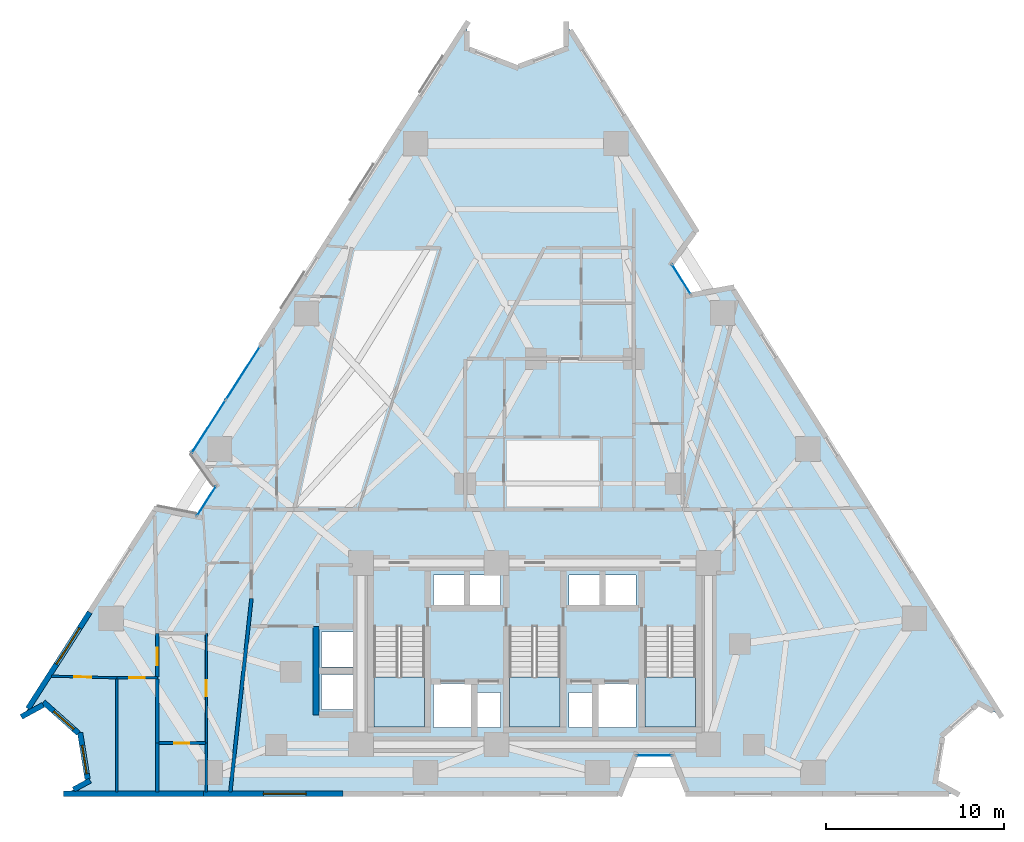
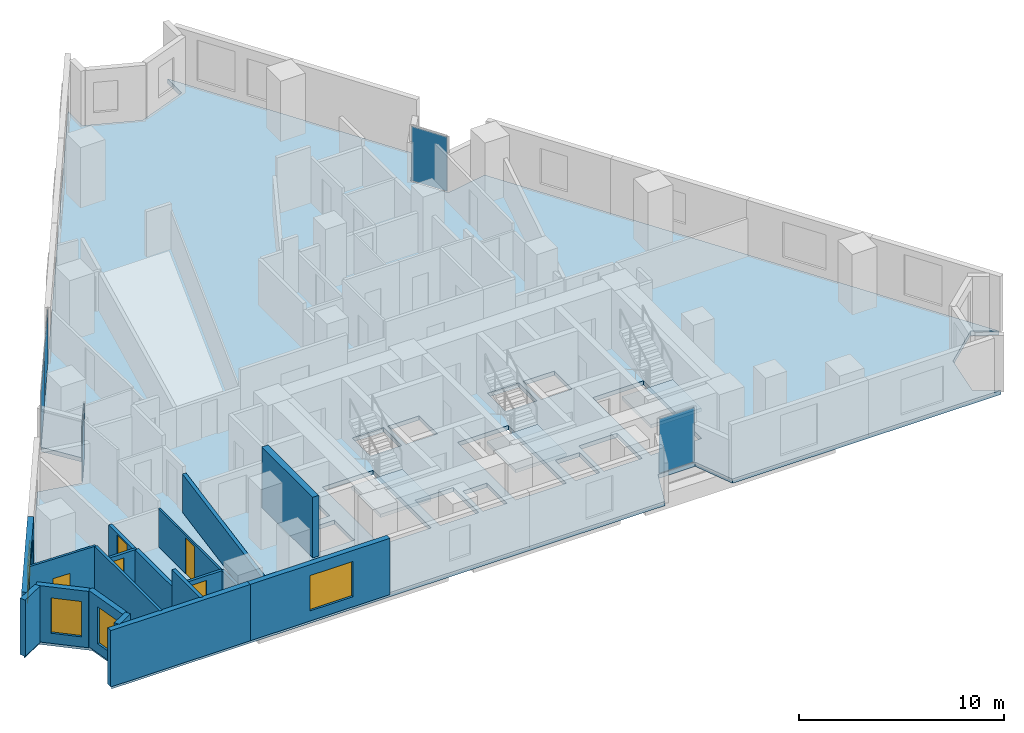
# One storey, part 6 of 14: 18 walls, 5 doors, 5 plates, 4 slabs, 4 windows, 9 openings, 7 elements without a shape of their own.
"""IFC4 building model written with IfcOpenShell, lengths in metres."""

from ifc_helpers import new_model, si_unit, direction, frame, frame_2d, origin, origin_2d, place, context, subcontext, project, spatial, polyline, rectangle, outline, extrude, material, layer, layer_set, type_object, element, fill, aggregate, save


model = new_model("IFC4")

# Units and contexts
model_context = context("Model", 3, precision=1e-05, world=origin(), true_north=direction((0.0, 1.0)))
body_context = subcontext(model_context, "Body", "Model", "MODEL_VIEW")
ifc_project = project(units=[si_unit("LENGTHUNIT", "METRE"), si_unit("AREAUNIT", "SQUARE_METRE"), si_unit("VOLUMEUNIT", "CUBIC_METRE"), si_unit("PLANEANGLEUNIT", "RADIAN"), si_unit("MASSUNIT", "GRAM", prefix="KILO")], contexts=[model_context])

# Site, building, storey
site_placement = place(None, origin())
site = spatial("IfcSite", under=ifc_project, at=site_placement, CompositionType="ELEMENT")
building_placement = place(site_placement, origin())
building = spatial("IfcBuilding", under=site, at=building_placement, Name="Almagre Mirador Tower", CompositionType="ELEMENT")
storey_placement = place(building_placement, frame((0.0, 0.0, 60.60009765625)))
storey = spatial("IfcBuildingStorey", under=building, at=storey_placement, Name="L14", CompositionType="ELEMENT", Elevation=60.60009765625)

# Curtain wall, plate
ifc_material_1 = material(Name="Black anodized aluminium", Category="aluminium")
ifc_layer_1 = layer(ifc_material_1, 0.169921875)
ifc_layer_set_1 = layer_set([ifc_layer_1], Name="Black anodized aluminium")
curtain_wall_type_1 = type_object("IfcCurtainWallType", Name="CW-CRS-SYS", PredefinedType="NOTDEFINED", material=ifc_layer_set_1)
curtain_wall_1_placement = place(storey_placement, origin())
curtain_wall_1 = element("IfcCurtainWall", 1, at=curtain_wall_1_placement, inside=storey, type_object=curtain_wall_type_1, Name="L14 vertical crease curtain wall 01", PredefinedType="NOTDEFINED")
ifc_material_2 = material(Name="Dark solar-control laminated hurricane glass", Category="glass")
ifc_layer_2 = layer(ifc_material_2, 0.028076171875)
ifc_layer_set_2 = layer_set([ifc_layer_2], Name="Dark solar-control laminated hurricane glass")
plate_type_1 = type_object("IfcPlateType", Name="PLT-GLZ-28", PredefinedType="CURTAIN_PANEL", material=ifc_layer_set_2)
plate_1_placement = place(storey_placement, frame((18.8779296875, 18.22509765625, 0.059814453125), z_axis=(0.0, 0.0, 1.0), x_axis=(0.539596564827, 0.841923718176, 0.0)))
plate_1 = element("IfcPlate", 2, at=plate_1_placement, type_object=plate_type_1, Name="CW-4 panel 1.1", PredefinedType="CURTAIN_PANEL", context=body_context, shape_type="SweptSolid", body=[
    extrude(rectangle(XDim=1.970458984375, YDim=0.028076171875, at=origin_2d()), origin(), (0.0, 0.0, 1.0), 3.22998046875),
])
aggregate(curtain_wall_1, [plate_1])

curtain_wall_2_placement = place(storey_placement, origin())
curtain_wall_2 = element("IfcCurtainWall", 3, at=curtain_wall_2_placement, inside=storey, type_object=curtain_wall_type_1, Name="L14 vertical crease curtain wall 03", PredefinedType="NOTDEFINED")
plate_2_placement = place(storey_placement, frame((45.530517578125, 30.6630859375, 0.059814453125), z_axis=(0.0, 0.0, 1.0), x_axis=(0.531632440698, -0.846975175549, 0.0)))
plate_2 = element("IfcPlate", 4, at=plate_2_placement, type_object=plate_type_1, Name="CW-4 panel 1.1", PredefinedType="CURTAIN_PANEL", context=body_context, shape_type="SweptSolid", body=[
    extrude(rectangle(XDim=1.9697265625, YDim=0.028076171875, at=origin_2d()), origin(), (0.0, 0.0, 1.0), 3.22998046875),
])
aggregate(curtain_wall_2, [plate_2])

curtain_wall_3_placement = place(storey_placement, origin())
curtain_wall_3 = element("IfcCurtainWall", 5, at=curtain_wall_3_placement, inside=storey, type_object=curtain_wall_type_1, Name="L14 vertical crease curtain wall 04", PredefinedType="NOTDEFINED")
plate_3_placement = place(storey_placement, frame((44.0, 3.949951171875, 0.059814453125), z_axis=(0.0, 0.0, 1.0), x_axis=(-1.0, 0.0, 0.0)))
plate_3 = element("IfcPlate", 6, at=plate_3_placement, type_object=plate_type_1, Name="CW-4 panel 1.1", PredefinedType="CURTAIN_PANEL", context=body_context, shape_type="SweptSolid", body=[
    extrude(rectangle(XDim=1.969970703125, YDim=0.028076171875, at=origin_2d()), origin(), (0.0, 0.0, 1.0), 3.22998046875),
])
aggregate(curtain_wall_3, [plate_3])

# Curtain wall, plates
ifc_material_3 = material(Name="Black anodized aluminium", Category="aluminium")
ifc_layer_3 = layer(ifc_material_3, 0.18994140625)
ifc_layer_set_3 = layer_set([ifc_layer_3], Name="Black anodized aluminium")
curtain_wall_type_2 = type_object("IfcCurtainWallType", Name="CW-RES-L-SYS", PredefinedType="NOTDEFINED", material=ifc_layer_set_3)
curtain_wall_4_placement = place(storey_placement, origin())
curtain_wall_4 = element("IfcCurtainWall", 7, at=curtain_wall_4_placement, inside=storey, type_object=curtain_wall_type_2, Name="L14 curtain wall run 02", PredefinedType="NOTDEFINED")
ifc_material_4 = material(Name="Dark solar-control laminated hurricane glass", Category="glass")
ifc_layer_4 = layer(ifc_material_4, 0.031982421875)
ifc_layer_set_4 = layer_set([ifc_layer_4], Name="Dark solar-control laminated hurricane glass")
plate_type_2 = type_object("IfcPlateType", Name="PLT-GLZ-32", PredefinedType="CURTAIN_PANEL", material=ifc_layer_set_4)
plate_4_placement = place(storey_placement, frame((18.998291015625, 22.39794921875, 0.059814453125), z_axis=(0.0, 0.0, 1.0), x_axis=(0.539501695001, 0.841984513569, 0.0)))
plate_4 = element("IfcPlate", 8, at=plate_4_placement, type_object=plate_type_2, Name="CW-2 panel 1.1", PredefinedType="CURTAIN_PANEL", context=body_context, shape_type="SweptSolid", body=[
    extrude(rectangle(XDim=3.506103515625, YDim=0.031982421875, at=origin_2d()), origin(), (0.0, 0.0, 1.0), 3.22998046875),
])
plate_5_placement = place(storey_placement, frame((20.9248046875, 25.404541015625, 0.059814453125), z_axis=(0.0, 0.0, 1.0), x_axis=(0.539501695001, 0.841984513569, 0.0)))
plate_5 = element("IfcPlate", 9, at=plate_5_placement, type_object=plate_type_2, Name="CW-2 panel 2.1", PredefinedType="CURTAIN_PANEL", context=body_context, shape_type="SweptSolid", body=[
    extrude(rectangle(XDim=3.506103515625, YDim=0.031982421875, at=origin_2d()), origin(), (0.0, 0.0, 1.0), 3.22998046875),
])
aggregate(curtain_wall_4, [plate_4, plate_5])

# Slab
ifc_material_5 = material(Name="Concrete C45/55", Category="concrete")
ifc_layer_5 = layer(ifc_material_5, 0.25)
ifc_layer_set_5 = layer_set([ifc_layer_5], Name="Concrete C45/55")
slab_type_1 = type_object("IfcSlabType", Name="SLB-FLR-250", PredefinedType="FLOOR", material=ifc_layer_set_5)
slab_1_placement = place(storey_placement, frame((0.0, 0.0, -0.25)))
element("IfcSlab", 10, at=slab_1_placement, inside=storey, type_object=slab_type_1, Name="L14 structural floor slab", PredefinedType="FLOOR", context=body_context, shape_type="SweptSolid", body=[
    extrude(outline(polyline([(8.60498046875, 6.177978515625), (9.8291015625, 6.847900390625), (11.804931640625, 5.083984375), (12.22412109375, 2.468994140625), (11.0, 1.800048828125), (42.10009765625, 1.800048828125), (42.955078125, 3.949951171875), (45.044921875, 3.949951171875), (45.89990234375, 1.800048828125), (61.0, 1.800048828125), (59.779052734375, 2.47509765625), (60.2099609375, 5.111083984375), (62.212890625, 6.8779296875), (63.43408203125, 6.202880859375), (48.362060546875, 30.197998046875), (46.0859375, 29.778076171875), (44.97509765625, 31.548095703125), (46.340087890625, 33.416015625), (39.06591796875, 44.9970703125), (39.06005859375, 43.60205078125), (36.26904296875, 42.555908203125), (33.488037109375, 43.626953125), (33.4951171875, 45.02197265625), (18.093017578125, 20.985107421875), (19.44189453125, 19.10498046875), (18.31396484375, 17.344970703125), (16.04296875, 17.784912109375), (8.60498046875, 6.177978515625)]), holes=[polyline([(43.47509765625, 11.196044921875), (46.324951171875, 11.196044921875), (46.324951171875, 5.550048828125), (43.47509765625, 5.550048828125), (43.47509765625, 11.196044921875)]), polyline([(40.820068359375, 5.52001953125), (40.820068359375, 7.97998046875), (42.97998046875, 7.97998046875), (42.97998046875, 5.52001953125), (40.820068359375, 5.52001953125)]), polyline([(41.219970703125, 12.320068359375), (41.219970703125, 14.080078125), (42.97998046875, 14.080078125), (42.97998046875, 12.320068359375), (41.219970703125, 12.320068359375)]), polyline([(39.219970703125, 12.320068359375), (39.219970703125, 14.080078125), (40.97998046875, 14.080078125), (40.97998046875, 12.320068359375), (39.219970703125, 12.320068359375)]), polyline([(39.219970703125, 5.52001953125), (39.219970703125, 7.47998046875), (40.580078125, 7.47998046875), (40.580078125, 5.52001953125), (39.219970703125, 5.52001953125)]), polyline([(35.875, 11.196044921875), (38.72509765625, 11.196044921875), (38.72509765625, 5.550048828125), (35.875, 5.550048828125), (35.875, 11.196044921875)]), polyline([(35.3798828125, 5.52001953125), (34.02001953125, 5.52001953125), (34.02001953125, 7.47998046875), (35.3798828125, 7.47998046875), (35.3798828125, 5.52001953125)]), polyline([(35.3798828125, 12.320068359375), (33.6201171875, 12.320068359375), (33.6201171875, 14.080078125), (35.3798828125, 14.080078125), (35.3798828125, 12.320068359375)]), polyline([(31.6201171875, 5.52001953125), (31.6201171875, 7.97998046875), (33.780029296875, 7.97998046875), (33.780029296875, 5.52001953125), (31.6201171875, 5.52001953125)]), polyline([(31.6201171875, 12.320068359375), (31.6201171875, 14.080078125), (33.3798828125, 14.080078125), (33.3798828125, 12.320068359375), (31.6201171875, 12.320068359375)]), polyline([(28.27490234375, 5.550048828125), (28.27490234375, 11.196044921875), (31.125, 11.196044921875), (31.125, 5.550048828125), (28.27490234375, 5.550048828125)]), polyline([(25.320068359375, 6.52001953125), (25.320068359375, 8.47998046875), (27.3798828125, 8.47998046875), (27.3798828125, 6.52001953125), (25.320068359375, 6.52001953125)]), polyline([(25.320068359375, 8.919921875), (25.320068359375, 10.8798828125), (27.3798828125, 10.8798828125), (27.3798828125, 8.919921875), (25.320068359375, 8.919921875)])]), origin(), (0.0, 0.0, 1.0), 0.25),
])

# Stair, slab
ifc_material_6 = material(Name="Concrete C45/55", Category="concrete")
stair_type = type_object("IfcStairType", Name="STR-DL-3600", PredefinedType="HALF_TURN_STAIR", material=ifc_material_6)
stair_1_placement = place(storey_placement, origin())
stair_1 = element("IfcStair", 11, at=stair_1_placement, inside=storey, type_object=stair_type, Name="L14 Protected exit stair ST-1", PredefinedType="HALF_TURN_STAIR")
ifc_material_7 = material(Name="Concrete C45/55", Category="concrete")
ifc_layer_6 = layer(ifc_material_7, 0.199951171875)
ifc_layer_set_6 = layer_set([ifc_layer_6], Name="Concrete C45/55")
slab_type_2 = type_object("IfcSlabType", Name="SLB-LND-200", PredefinedType="LANDING", material=ifc_layer_set_6)
slab_2_placement = place(storey_placement, frame((0.0, 0.0, 1.599853515625)))
slab_2 = element("IfcSlab", 12, at=slab_2_placement, type_object=slab_type_2, Name="ST-1 landing 1", PredefinedType="LANDING", context=body_context, shape_type="SweptSolid", body=[
    extrude(outline(polyline([(28.27490234375, 8.35009765625), (28.27490234375, 5.550048828125), (31.125, 5.550048828125), (31.125, 8.35009765625), (28.27490234375, 8.35009765625)])), origin(), (0.0, 0.0, 1.0), 0.199951171875),
])
aggregate(stair_1, [slab_2])

stair_2_placement = place(storey_placement, origin())
stair_2 = element("IfcStair", 13, at=stair_2_placement, inside=storey, type_object=stair_type, Name="L14 Protected exit stair ST-2", PredefinedType="HALF_TURN_STAIR")
slab_3_placement = place(storey_placement, frame((0.0, 0.0, 1.599853515625)))
slab_3 = element("IfcSlab", 14, at=slab_3_placement, type_object=slab_type_2, Name="ST-2 landing 1", PredefinedType="LANDING", context=body_context, shape_type="SweptSolid", body=[
    extrude(outline(polyline([(35.875, 8.35009765625), (35.875, 5.550048828125), (38.72509765625, 5.550048828125), (38.72509765625, 8.35009765625), (35.875, 8.35009765625)])), origin(), (0.0, 0.0, 1.0), 0.199951171875),
])
aggregate(stair_2, [slab_3])

stair_3_placement = place(storey_placement, origin())
stair_3 = element("IfcStair", 15, at=stair_3_placement, inside=storey, type_object=stair_type, Name="L14 Protected exit stair ST-3", PredefinedType="HALF_TURN_STAIR")
slab_4_placement = place(storey_placement, frame((0.0, 0.0, 1.599853515625)))
slab_4 = element("IfcSlab", 16, at=slab_4_placement, type_object=slab_type_2, Name="ST-3 landing 1", PredefinedType="LANDING", context=body_context, shape_type="SweptSolid", body=[
    extrude(outline(polyline([(43.47509765625, 8.35009765625), (43.47509765625, 5.550048828125), (46.324951171875, 5.550048828125), (46.324951171875, 8.35009765625), (43.47509765625, 8.35009765625)])), origin(), (0.0, 0.0, 1.0), 0.199951171875),
])
aggregate(stair_3, [slab_4])

# Wall, opening, window
ifc_material_8 = material(Name="Precast concrete C50/60", Category="concrete")
ifc_layer_7 = layer(ifc_material_8, 0.300048828125)
ifc_layer_set_7 = layer_set([ifc_layer_7], Name="Precast concrete C50/60")
wall_type_1 = type_object("IfcWallType", Name="WAL-EXT-300", PredefinedType="SOLIDWALL", material=ifc_layer_set_7)
wall_1_placement = place(storey_placement, frame((26.550048828125, 1.800048828125, 0.0), z_axis=(0.0, 0.0, 1.0), x_axis=(-1.0, 0.0, 0.0)))
wall_1 = element("IfcWall", 17, at=wall_1_placement, inside=storey, type_object=wall_type_1, Name="L14 expressed almagre precast frame wall 28", PredefinedType="SOLIDWALL", context=body_context, shape_type="SweptSolid", body=[
    extrude(rectangle(XDim=7.844970703125, YDim=0.300048828125, at=frame_2d((3.92236328125, 0.0))), origin(), (0.0, 0.0, 1.0), 3.349853515625),
])
opening_1_placement = place(wall_1_placement, frame((2.074951171875, 0.0, 0.60009765625)))
opening_1 = element("IfcOpeningElement", 18, at=opening_1_placement, cuts=wall_1, Name="Opening WN-02", PredefinedType="OPENING", context=body_context, shape_type="SweptSolid", body=[
    extrude(rectangle(XDim=2.39990234375, YDim=2.10009765625, at=frame_2d((1.199951171875, 1.050048828125))), frame((0.0, 0.159902, 0.0), z_axis=(0.0, -1.0, 0.0), x_axis=(1.0, 0.0, 0.0)), (0.0, 0.0, 1.0), 0.320049),
])
ifc_material_9 = material(Name="Dark solar-control laminated hurricane glass", Category="glass")
window_type_1 = type_object("IfcWindowType", Name="WIN-2400X2100", PartitioningType="TRIPLE_PANEL_VERTICAL", PredefinedType="WINDOW", material=ifc_material_9)
window_1_placement = place(opening_1_placement, origin())
window_1 = element("IfcWindow", 19, at=window_1_placement, inside=storey, type_object=window_type_1, Name="L14 recessed hurricane window L14-RST-B", OverallHeight=2.10009765625, OverallWidth=2.39990234375, PartitioningType="SINGLE_PANEL", PredefinedType="WINDOW", context=body_context, shape_type="SweptSolid", body=[
    extrude(rectangle(XDim=2.39990234375, YDim=2.10009765625, at=frame_2d((1.199951171875, 1.050048828125))), frame((0.0, 0.030029296875, 0.0), z_axis=(0.0, -1.0, 0.0), x_axis=(1.0, 0.0, 0.0)), (0.0, 0.0, 1.0), 0.06005859375),
])
fill(opening_1, window_1)

# Walls
wall_2_placement = place(storey_placement, frame((18.705078125, 1.800048828125, 0.0), z_axis=(0.0, 0.0, 1.0), x_axis=(-1.0, 0.0, 0.0)))
element("IfcWall", 20, at=wall_2_placement, inside=storey, type_object=wall_type_1, Name="L14 expressed almagre precast frame wall 29", PredefinedType="SOLIDWALL", context=body_context, shape_type="SweptSolid", body=[
    extrude(rectangle(XDim=7.844970703125, YDim=0.300048828125, at=frame_2d((3.92236328125, 0.0))), origin(), (0.0, 0.0, 1.0), 3.349853515625),
])
wall_3_placement = place(storey_placement, frame((11.421142578125, 2.0302734375, 0.0), z_axis=(0.0, 0.0, 1.0), x_axis=(0.877488347229, 0.479597957124, 0.0)))
element("IfcWall", 21, at=wall_3_placement, inside=storey, type_object=wall_type_1, Name="L14 expressed almagre precast frame wall 30", PredefinedType="SOLIDWALL", context=body_context, shape_type="SweptSolid", body=[
    extrude(rectangle(XDim=1.0546875, YDim=0.300048828125, at=frame_2d((0.52734375, 0.0))), origin(), (0.0, 0.0, 1.0), 3.349853515625),
])

# Wall, opening, window
wall_4_placement = place(storey_placement, frame((12.20263671875, 2.602294921875, 0.0), z_axis=(0.0, 0.0, 1.0), x_axis=(-0.158173523246, 0.987411330978, 0.0)))
wall_4 = element("IfcWall", 22, at=wall_4_placement, inside=storey, type_object=wall_type_1, Name="L14 expressed almagre precast frame wall 31", PredefinedType="SOLIDWALL", context=body_context, shape_type="SweptSolid", body=[
    extrude(rectangle(XDim=2.6533203125, YDim=0.300048828125, at=frame_2d((1.32666015625, 0.0))), origin(), (0.0, 0.0, 1.0), 3.349853515625),
])
opening_2_placement = place(wall_4_placement, frame((0.324951171875, 0.0, 0.550048828125)))
opening_2 = element("IfcOpeningElement", 23, at=opening_2_placement, cuts=wall_4, Name="Opening WN-06", PredefinedType="OPENING", context=body_context, shape_type="SweptSolid", body=[
    extrude(rectangle(XDim=1.60009765625, YDim=2.199951171875, at=frame_2d((0.800048828125, 1.10009765625))), frame((0.0, 0.159902, 0.0), z_axis=(0.0, -1.0, 0.0), x_axis=(1.0, 0.0, 0.0)), (0.0, 0.0, 1.0), 0.320049),
])
ifc_material_10 = material(Name="Dark solar-control laminated hurricane glass", Category="glass")
window_type_2 = type_object("IfcWindowType", Name="WIN-1600X2200", PartitioningType="DOUBLE_PANEL_VERTICAL", PredefinedType="WINDOW", material=ifc_material_10)
window_2_placement = place(opening_2_placement, origin())
window_2 = element("IfcWindow", 24, at=window_2_placement, inside=storey, type_object=window_type_2, Name="L14 recessed hurricane window L14-UA-KT", OverallHeight=2.199951171875, OverallWidth=1.60009765625, PartitioningType="SINGLE_PANEL", PredefinedType="WINDOW", context=body_context, shape_type="SweptSolid", body=[
    extrude(rectangle(XDim=1.60009765625, YDim=2.199951171875, at=frame_2d((0.800048828125, 1.10009765625))), frame((0.0, 0.030029296875, 0.0), z_axis=(0.0, -1.0, 0.0), x_axis=(1.0, 0.0, 0.0)), (0.0, 0.0, 1.0), 0.06005859375),
])
fill(opening_2, window_2)

wall_5_placement = place(storey_placement, frame((11.689208984375, 5.187255859375, 0.0), z_axis=(0.0, 0.0, 1.0), x_axis=(-0.745975491387, 0.665973397555, 0.0)))
wall_5 = element("IfcWall", 25, at=wall_5_placement, inside=storey, type_object=wall_type_1, Name="L14 expressed almagre precast frame wall 32", PredefinedType="SOLIDWALL", context=body_context, shape_type="SweptSolid", body=[
    extrude(rectangle(XDim=2.633544921875, YDim=0.300048828125, at=frame_2d((1.31689453125, 0.0))), origin(), (0.0, 0.0, 1.0), 3.349853515625),
])
opening_3_placement = place(wall_5_placement, frame((0.35498046875, 0.0, 0.60009765625)))
opening_3 = element("IfcOpeningElement", 26, at=opening_3_placement, cuts=wall_5, Name="Opening WN-03", PredefinedType="OPENING", context=body_context, shape_type="SweptSolid", body=[
    extrude(rectangle(XDim=1.5, YDim=2.10009765625, at=frame_2d((0.75, 1.050048828125))), frame((0.0, 0.159902, 0.0), z_axis=(0.0, -1.0, 0.0), x_axis=(1.0, 0.0, 0.0)), (0.0, 0.0, 1.0), 0.320049),
])
ifc_material_11 = material(Name="Dark solar-control laminated hurricane glass", Category="glass")
window_type_3 = type_object("IfcWindowType", Name="WIN-1500X2100", PartitioningType="DOUBLE_PANEL_VERTICAL", PredefinedType="WINDOW", material=ifc_material_11)
window_3_placement = place(opening_3_placement, origin())
window_3 = element("IfcWindow", 27, at=window_3_placement, inside=storey, type_object=window_type_3, Name="L14 recessed hurricane window L14-UA-KT", OverallHeight=2.10009765625, OverallWidth=1.5, PartitioningType="SINGLE_PANEL", PredefinedType="WINDOW", context=body_context, shape_type="SweptSolid", body=[
    extrude(rectangle(XDim=1.5, YDim=2.10009765625, at=frame_2d((0.75, 1.050048828125))), frame((0.0, 0.030029296875, 0.0), z_axis=(0.0, -1.0, 0.0), x_axis=(1.0, 0.0, 0.0)), (0.0, 0.0, 1.0), 0.06005859375),
])
fill(opening_3, window_3)

# Wall
wall_6_placement = place(storey_placement, frame((9.710693359375, 6.783203125, 0.0), z_axis=(0.0, 0.0, 1.0), x_axis=(-0.877215145436, -0.480097478245, 0.0)))
element("IfcWall", 28, at=wall_6_placement, inside=storey, type_object=wall_type_1, Name="L14 expressed almagre precast frame wall 33", PredefinedType="SOLIDWALL", context=body_context, shape_type="SweptSolid", body=[
    extrude(rectangle(XDim=1.400390625, YDim=0.300048828125, at=frame_2d((0.7001953125, 0.0))), origin(), (0.0, 0.0, 1.0), 3.349853515625),
])

# Wall, opening, window
wall_7_placement = place(storey_placement, frame((8.858642578125, 6.57373046875, 0.0), z_axis=(0.0, 0.0, 1.0), x_axis=(0.539539001193, 0.841960608456, 0.0)))
wall_7 = element("IfcWall", 29, at=wall_7_placement, inside=storey, type_object=wall_type_1, Name="L14 expressed almagre precast frame wall 34", PredefinedType="SOLIDWALL", context=body_context, shape_type="SweptSolid", body=[
    extrude(rectangle(XDim=6.4228515625, YDim=0.300048828125, at=frame_2d((3.21142578125, 0.0))), origin(), (0.0, 0.0, 1.0), 3.349853515625),
])
opening_4_placement = place(wall_7_placement, frame((2.965087890625, 0.0, 0.60009765625)))
opening_4 = element("IfcOpeningElement", 30, at=opening_4_placement, cuts=wall_7, Name="Opening WN-02", PredefinedType="OPENING", context=body_context, shape_type="SweptSolid", body=[
    extrude(rectangle(XDim=2.39990234375, YDim=2.10009765625, at=frame_2d((1.199951171875, 1.050048828125))), frame((0.0, 0.159902, 0.0), z_axis=(0.0, -1.0, 0.0), x_axis=(1.0, 0.0, 0.0)), (0.0, 0.0, 1.0), 0.320049),
])
window_4_placement = place(opening_4_placement, origin())
window_4 = element("IfcWindow", 31, at=window_4_placement, inside=storey, type_object=window_type_1, Name="L14 recessed hurricane window L14-UA-ST", OverallHeight=2.10009765625, OverallWidth=2.39990234375, PartitioningType="SINGLE_PANEL", PredefinedType="WINDOW", context=body_context, shape_type="SweptSolid", body=[
    extrude(rectangle(XDim=2.39990234375, YDim=2.10009765625, at=frame_2d((1.199951171875, 1.050048828125))), frame((0.0, 0.030029296875, 0.0), z_axis=(0.0, -1.0, 0.0), x_axis=(1.0, 0.0, 0.0)), (0.0, 0.0, 1.0), 0.06005859375),
])
fill(opening_4, window_4)

# Wall, opening, door
ifc_material_12 = material(Name="Gypsum acoustic stud partition", Category="other")
ifc_layer_8 = layer(ifc_material_12, 0.10009765625)
ifc_layer_set_8 = layer_set([ifc_layer_8], Name="Gypsum acoustic stud partition")
wall_type_2 = type_object("IfcWallType", Name="WAL-PRT-100-CLS", PredefinedType="PARTITIONING", material=ifc_layer_set_8)
wall_8_placement = place(storey_placement, frame((18.8701171875, 10.800048828125, 0.0), z_axis=(0.0, 0.0, 1.0), x_axis=(0.0, -1.0, 0.0)))
wall_8 = element("IfcWall", 32, at=wall_8_placement, inside=storey, type_object=wall_type_2, Name="L14 interior partition 035", PredefinedType="PARTITIONING", context=body_context, shape_type="SweptSolid", body=[
    extrude(rectangle(XDim=6.16015625, YDim=0.10009765625, at=frame_2d((3.080078125, 0.0))), origin(), (0.0, 0.0, 1.0), 2.27880859375),
])
opening_5_placement = place(wall_8_placement, frame((2.6298828125, 0.0, 0.0)))
opening_5 = element("IfcOpeningElement", 33, at=opening_5_placement, cuts=wall_8, Name="Opening UD-02", PredefinedType="OPENING", context=body_context, shape_type="SweptSolid", body=[
    extrude(rectangle(XDim=0.89990234375, YDim=2.14990234375, at=frame_2d((0.449951171875, 1.074951171875))), frame((0.0, 0.060049, 0.0), z_axis=(0.0, -1.0, 0.0), x_axis=(1.0, 0.0, 0.0)), (0.0, 0.0, 1.0), 0.120098),
])
ifc_material_13 = material(Name="Solid American walnut timber", Category="wood")
door_type_1 = type_object("IfcDoorType", Name="DOR-UNR-900X2150", OperationType="NOTDEFINED", PredefinedType="DOOR", material=ifc_material_13)
door_1_placement = place(opening_5_placement, origin())
door_1 = element("IfcDoor", 34, at=door_1_placement, inside=storey, type_object=door_type_1, Name="DR-0467 L14 interior door L14-UD-LV to L14-UD-B2", OperationType="SINGLE_SWING_RIGHT", OverallHeight=2.14990234375, OverallWidth=0.89990234375, PredefinedType="DOOR", context=body_context, shape_type="SweptSolid", body=[
    extrude(rectangle(XDim=0.89990234375, YDim=2.14990234375, at=frame_2d((0.449951171875, 1.074951171875))), frame((0.0, 0.02490234375, 0.0), z_axis=(0.0, -1.0, 0.0), x_axis=(1.0, 0.0, 0.0)), (0.0, 0.0, 1.0), 0.050048828125),
])
fill(opening_5, door_1)

ifc_material_14 = material(Name="Gypsum acoustic stud partition", Category="other")
ifc_layer_9 = layer(ifc_material_14, 0.125)
ifc_layer_set_9 = layer_set([ifc_layer_9], Name="Gypsum acoustic stud partition")
wall_type_3 = type_object("IfcWallType", Name="WAL-PRT-125-UTL", PredefinedType="PARTITIONING", material=ifc_layer_set_9)
wall_9_placement = place(storey_placement, frame((10.166015625, 8.39501953125, 0.0), z_axis=(0.0, 0.0, 1.0), x_axis=(0.999666084673, -0.025840262272, 0.0)))
wall_9 = element("IfcWall", 35, at=wall_9_placement, inside=storey, type_object=wall_type_3, Name="L14 interior partition 018", PredefinedType="PARTITIONING", context=body_context, shape_type="SweptSolid", body=[
    extrude(rectangle(XDim=3.67529296875, YDim=0.125, at=frame_2d((1.837646484375, 0.0))), origin(), (0.0, 0.0, 1.0), 3.349853515625),
])
opening_6_placement = place(wall_9_placement, frame((1.29296875, 0.0, 0.0)))
opening_6 = element("IfcOpeningElement", 36, at=opening_6_placement, cuts=wall_9, Name="Opening UD-01", PredefinedType="OPENING", context=body_context, shape_type="SweptSolid", body=[
    extrude(rectangle(XDim=0.949951171875, YDim=2.199951171875, at=frame_2d((0.47509765625, 1.10009765625))), frame((0.0, 0.0725, 0.0), z_axis=(0.0, -1.0, 0.0), x_axis=(1.0, 0.0, 0.0)), (0.0, 0.0, 1.0), 0.145),
])
ifc_material_15 = material(Name="Solid American walnut timber", Category="wood")
door_type_2 = type_object("IfcDoorType", Name="DOR-UNR-950X2200", OperationType="NOTDEFINED", PredefinedType="DOOR", material=ifc_material_15)
door_2_placement = place(opening_6_placement, origin())
door_2 = element("IfcDoor", 37, at=door_2_placement, inside=storey, type_object=door_type_2, Name="DR-0462 L14 interior door L14-UA-ST to L14-UA-KT", OperationType="SINGLE_SWING_RIGHT", OverallHeight=2.199951171875, OverallWidth=0.949951171875, PredefinedType="DOOR", context=body_context, shape_type="SweptSolid", body=[
    extrude(rectangle(XDim=0.949951171875, YDim=2.199951171875, at=frame_2d((0.47509765625, 1.10009765625))), frame((0.0, 0.02490234375, 0.0), z_axis=(0.0, -1.0, 0.0), x_axis=(1.0, 0.0, 0.0)), (0.0, 0.0, 1.0), 0.050048828125),
])
fill(opening_6, door_2)

ifc_material_16 = material(Name="Gypsum acoustic stud partition", Category="other")
ifc_layer_10 = layer(ifc_material_16, 0.14990234375)
ifc_layer_set_10 = layer_set([ifc_layer_10], Name="Gypsum acoustic stud partition")
wall_type_4 = type_object("IfcWallType", Name="WAL-PRT-150-STD", PredefinedType="PARTITIONING", material=ifc_layer_set_10)
wall_10_placement = place(storey_placement, frame((13.840087890625, 8.300048828125, 0.0), z_axis=(0.0, 0.0, 1.0), x_axis=(1.0, 0.0, 0.0)))
wall_10 = element("IfcWall", 38, at=wall_10_placement, inside=storey, type_object=wall_type_4, Name="L14 interior partition 017", PredefinedType="PARTITIONING", context=body_context, shape_type="SweptSolid", body=[
    extrude(rectangle(XDim=2.280029296875, YDim=0.14990234375, at=frame_2d((1.14013671875, 0.0))), origin(), (0.0, 0.0, 1.0), 2.369873046875),
])
opening_7_placement = place(wall_10_placement, frame((0.715087890625, 0.0, 0.0)))
opening_7 = element("IfcOpeningElement", 39, at=opening_7_placement, cuts=wall_10, Name="Opening UD-04", PredefinedType="OPENING", context=body_context, shape_type="SweptSolid", body=[
    extrude(rectangle(XDim=0.85009765625, YDim=2.10009765625, at=frame_2d((0.425048828125, 1.050048828125))), frame((0.0, 0.084951, 0.0), z_axis=(0.0, -1.0, 0.0), x_axis=(1.0, 0.0, 0.0)), (0.0, 0.0, 1.0), 0.169902),
])
ifc_material_17 = material(Name="Moisture-resistant oak timber", Category="wood")
door_type_3 = type_object("IfcDoorType", Name="DOR-UNR-850X2100", OperationType="NOTDEFINED", PredefinedType="DOOR", material=ifc_material_17)
door_3_placement = place(opening_7_placement, origin())
door_3 = element("IfcDoor", 40, at=door_3_placement, inside=storey, type_object=door_type_3, Name="DR-0463 L14 interior door L14-UA-ST to L14-UA-BT", OperationType="SINGLE_SWING_LEFT", OverallHeight=2.10009765625, OverallWidth=0.85009765625, PredefinedType="DOOR", context=body_context, shape_type="SweptSolid", body=[
    extrude(rectangle(XDim=0.85009765625, YDim=2.10009765625, at=frame_2d((0.425048828125, 1.050048828125))), frame((0.0, 0.02490234375, 0.0), z_axis=(0.0, -1.0, 0.0), x_axis=(1.0, 0.0, 0.0)), (0.0, 0.0, 1.0), 0.050048828125),
])
fill(opening_7, door_3)

# Walls
wall_11_placement = place(storey_placement, frame((13.840087890625, 8.239990234375, 0.0), z_axis=(0.0, 0.0, 1.0), x_axis=(0.0, -1.0, 0.0)))
element("IfcWall", 41, at=wall_11_placement, inside=storey, type_object=wall_type_4, Name="L14 interior partition 021", PredefinedType="PARTITIONING", context=body_context, shape_type="SweptSolid", body=[
    extrude(rectangle(XDim=6.340087890625, YDim=0.14990234375, at=frame_2d((3.169921875, 0.0))), origin(), (0.0, 0.0, 1.0), 3.349853515625),
])
wall_12_placement = place(storey_placement, frame((18.8701171875, 4.639892578125, 0.0), z_axis=(0.0, 0.0, 1.0), x_axis=(0.0, -1.0, 0.0)))
element("IfcWall", 42, at=wall_12_placement, inside=storey, type_object=wall_type_4, Name="L14 interior partition 032", PredefinedType="PARTITIONING", context=body_context, shape_type="SweptSolid", body=[
    extrude(rectangle(XDim=2.739990234375, YDim=0.14990234375, at=frame_2d((1.3701171875, 0.0))), origin(), (0.0, 0.0, 1.0), 2.369873046875),
])

# Wall, opening, door
wall_13_placement = place(storey_placement, frame((18.81005859375, 4.639892578125, 0.0), z_axis=(0.0, 0.0, 1.0), x_axis=(-1.0, 0.0, 0.0)))
wall_13 = element("IfcWall", 43, at=wall_13_placement, inside=storey, type_object=wall_type_4, Name="L14 interior partition 036", PredefinedType="PARTITIONING", context=body_context, shape_type="SweptSolid", body=[
    extrude(rectangle(XDim=2.60498046875, YDim=0.14990234375, at=frame_2d((1.302490234375, 0.0))), origin(), (0.0, 0.0, 1.0), 2.369873046875),
])
opening_8_placement = place(wall_13_placement, frame((0.889892578125, 0.0, 0.0)))
opening_8 = element("IfcOpeningElement", 44, at=opening_8_placement, cuts=wall_13, Name="Opening UD-04", PredefinedType="OPENING", context=body_context, shape_type="SweptSolid", body=[
    extrude(rectangle(XDim=0.85009765625, YDim=2.10009765625, at=frame_2d((0.425048828125, 1.050048828125))), frame((0.0, 0.084951, 0.0), z_axis=(0.0, -1.0, 0.0), x_axis=(1.0, 0.0, 0.0)), (0.0, 0.0, 1.0), 0.169902),
])
door_4_placement = place(opening_8_placement, origin())
door_4 = element("IfcDoor", 45, at=door_4_placement, inside=storey, type_object=door_type_3, Name="DR-0485 L14 interior door L14-UD-HB to L14-UD-B2", OperationType="SINGLE_SWING_LEFT", OverallHeight=2.10009765625, OverallWidth=0.85009765625, PredefinedType="DOOR", context=body_context, shape_type="SweptSolid", body=[
    extrude(rectangle(XDim=0.85009765625, YDim=2.10009765625, at=frame_2d((0.425048828125, 1.050048828125))), frame((0.0, 0.02490234375, 0.0), z_axis=(0.0, -1.0, 0.0), x_axis=(1.0, 0.0, 0.0)), (0.0, 0.0, 1.0), 0.050048828125),
])
fill(opening_8, door_4)

ifc_material_18 = material(Name="Gypsum acoustic stud partition", Category="other")
ifc_layer_11 = layer(ifc_material_18, 0.199951171875)
ifc_layer_set_11 = layer_set([ifc_layer_11], Name="Gypsum acoustic stud partition")
wall_type_5 = type_object("IfcWallType", Name="WAL-PRT-200-EI60", PredefinedType="PARTITIONING", material=ifc_layer_set_11)
wall_14_placement = place(storey_placement, frame((16.1201171875, 8.360107421875, 0.0), z_axis=(0.0, 0.0, 1.0), x_axis=(0.0, 1.0, 0.0)))
wall_14 = element("IfcWall", 46, at=wall_14_placement, inside=storey, type_object=wall_type_5, Name="L14 interior partition 020", PredefinedType="PARTITIONING", context=body_context, shape_type="SweptSolid", body=[
    extrude(rectangle(XDim=2.43994140625, YDim=0.199951171875, at=frame_2d((1.219970703125, 0.0))), origin(), (0.0, 0.0, 1.0), 2.27880859375),
])
opening_9_placement = place(wall_14_placement, frame((0.634521484375, 0.0, 0.0)))
opening_9 = element("IfcOpeningElement", 47, at=opening_9_placement, cuts=wall_14, Name="Opening ID-01", PredefinedType="OPENING", context=body_context, shape_type="SweptSolid", body=[
    extrude(rectangle(XDim=1.0, YDim=2.199951171875, at=frame_2d((0.5, 1.10009765625))), frame((0.0, 0.110098, 0.0), z_axis=(0.0, -1.0, 0.0), x_axis=(1.0, 0.0, 0.0)), (0.0, 0.0, 1.0), 0.219951),
])
ifc_material_19 = material(Name="Fire-rated walnut timber", Category="wood")
door_type_4 = type_object("IfcDoorType", Name="DOR-FD60-1000X2200", OperationType="NOTDEFINED", PredefinedType="DOOR", material=ifc_material_19)
door_5_placement = place(opening_9_placement, origin())
door_5 = element("IfcDoor", 48, at=door_5_placement, inside=storey, type_object=door_type_4, Name="DR-0483 L14 interior door L14-UA-ST to L14-UD-B2", OperationType="SINGLE_SWING_LEFT", OverallHeight=2.199951171875, OverallWidth=1.0, PredefinedType="DOOR", context=body_context, shape_type="SweptSolid", body=[
    extrude(rectangle(XDim=1.0, YDim=2.199951171875, at=frame_2d((0.5, 1.10009765625))), frame((0.0, 0.02490234375, 0.0), z_axis=(0.0, -1.0, 0.0), x_axis=(1.0, 0.0, 0.0)), (0.0, 0.0, 1.0), 0.050048828125),
])
fill(opening_9, door_5)

# Walls
wall_15_placement = place(storey_placement, frame((16.1201171875, 1.89990234375, 0.0), z_axis=(0.0, 0.0, 1.0), x_axis=(0.0, 1.0, 0.0)))
element("IfcWall", 49, at=wall_15_placement, inside=storey, type_object=wall_type_5, Name="L14 interior partition 022", PredefinedType="PARTITIONING", context=body_context, shape_type="SweptSolid", body=[
    extrude(rectangle(XDim=2.739990234375, YDim=0.199951171875, at=frame_2d((1.3701171875, 0.0))), origin(), (0.0, 0.0, 1.0), 3.349853515625),
])
wall_16_placement = place(storey_placement, frame((16.1201171875, 4.639892578125, 0.0), z_axis=(0.0, 0.0, 1.0), x_axis=(0.0, 1.0, 0.0)))
element("IfcWall", 50, at=wall_16_placement, inside=storey, type_object=wall_type_5, Name="L14 interior partition 023", PredefinedType="PARTITIONING", context=body_context, shape_type="SweptSolid", body=[
    extrude(rectangle(XDim=3.60009765625, YDim=0.199951171875, at=frame_2d((1.800048828125, 0.0))), origin(), (0.0, 0.0, 1.0), 2.369873046875),
])
wall_17_placement = place(storey_placement, frame((21.39990234375, 12.75, 0.0), z_axis=(0.0, 0.0, 1.0), x_axis=(-0.108543558266, -0.994091693939, 0.0)))
element("IfcWall", 51, at=wall_17_placement, inside=storey, type_object=wall_type_5, Name="L14 interior partition 024", PredefinedType="PARTITIONING", context=body_context, shape_type="SweptSolid", body=[
    extrude(rectangle(XDim=10.91552734375, YDim=0.199951171875, at=frame_2d((5.457763671875, 0.0))), origin(), (0.0, 0.0, 1.0), 2.27880859375),
])
ifc_material_20 = material(Name="Concrete C60/75", Category="concrete")
ifc_layer_12 = layer(ifc_material_20, 0.35009765625)
ifc_layer_set_12 = layer_set([ifc_layer_12], Name="Concrete C60/75")
wall_type_6 = type_object("IfcWallType", Name="WAL-SHF-350", PredefinedType="SOLIDWALL", material=ifc_layer_set_12)
wall_18_placement = place(storey_placement, frame((25.02490234375, 6.22509765625, 0.0), z_axis=(0.0, 0.0, 1.0), x_axis=(0.0, 1.0, 0.0)))
element("IfcWall", 52, at=wall_18_placement, inside=storey, type_object=wall_type_6, Name="L14 shaft wall OL-W", PredefinedType="SOLIDWALL", context=body_context, shape_type="SweptSolid", body=[
    extrude(rectangle(XDim=4.949951171875, YDim=0.35009765625, at=frame_2d((2.47509765625, 0.0))), origin(), (0.0, 0.0, 1.0), 3.599853515625),
])

save(model, "model.ifc")
